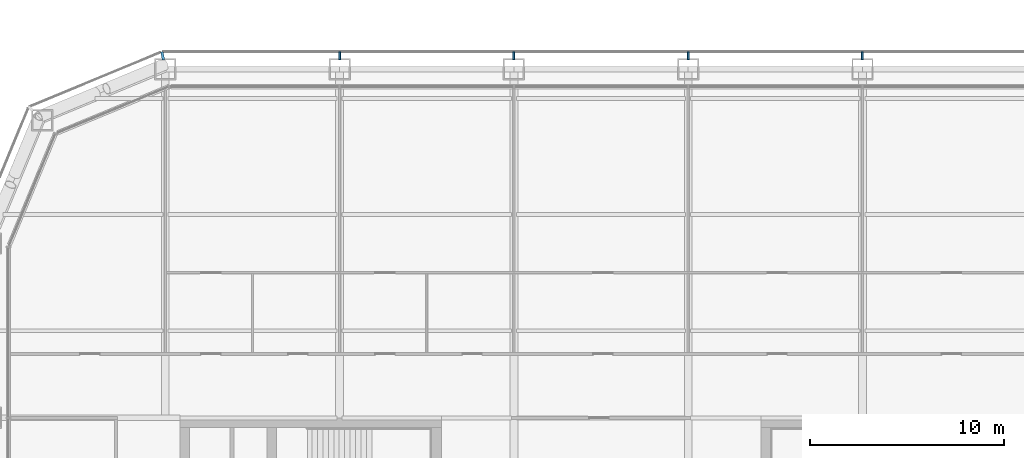
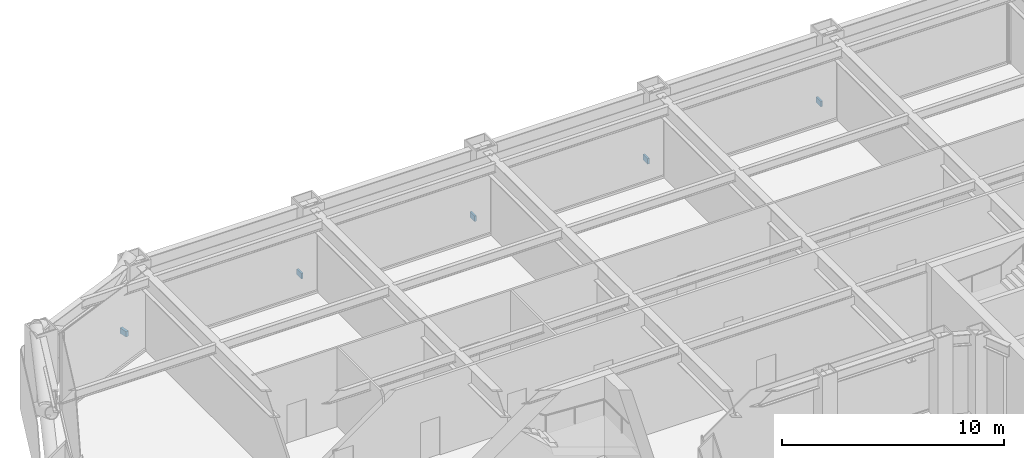
# One storey, part 23 of 30: 5 discrete accessories.
"""IFC4 building model written with IfcOpenShell, lengths in metres."""

from ifc_helpers import new_model, si_unit, direction, frame, origin, origin_2d, place, context, subcontext, project, spatial, rectangle, extrude, material, type_object, element, save


model = new_model("IFC4")

# Units and contexts
model_context = context("Model", 3, precision=1e-05, world=origin(), true_north=direction((0.0, 1.0)))
body_context = subcontext(model_context, "Body", "Model", "MODEL_VIEW")
ifc_project = project(units=[si_unit("LENGTHUNIT", "METRE"), si_unit("AREAUNIT", "SQUARE_METRE"), si_unit("VOLUMEUNIT", "CUBIC_METRE"), si_unit("PLANEANGLEUNIT", "RADIAN"), si_unit("MASSUNIT", "GRAM", prefix="KILO")], contexts=[model_context])

# Site, building, storey
site_placement = place(None, origin())
site = spatial("IfcSite", under=ifc_project, at=site_placement, CompositionType="ELEMENT")
building_placement = place(site_placement, origin())
building = spatial("IfcBuilding", under=site, at=building_placement, Name="Siwar Civic Tower", CompositionType="ELEMENT")
storey_placement = place(building_placement, frame((0.0, 0.0, 44.699951171875)))
storey = spatial("IfcBuildingStorey", under=building, at=storey_placement, Name="L09", CompositionType="ELEMENT", Elevation=44.699951171875)

# Discrete accessories
ifc_material = material(Name="Stainless steel 316", Category="steel")
discrete_accessory_type = type_object("IfcDiscreteAccessoryType", Name="ENV-BRACKET", PredefinedType="BRACKET", material=ifc_material)
for number, where, z_axis, x_axis, name in (
    (1, (13.5, 32.18994140625, -0.14990234375), (0.0, 0.0, 1.0), (0.0, 1.0, 0.0), "Bracket outer skin joint N-01"),
    (2, (4.5, 32.18994140625, -0.14990234375), (0.0, 0.0, 1.0), (0.0, 1.0, 0.0), "Bracket outer skin joint N-02"),
    (3, (-4.5, 32.18994140625, -0.14990234375), (0.0, 0.0, 1.0), (0.0, 1.0, 0.0), "Bracket outer skin joint N-03"),
    (4, (-13.5, 32.18994140625, -0.14990234375), (0.0, 0.0, 1.0), (0.0, 1.0, 0.0), "Bracket outer skin joint N-04"),
):
    element("IfcDiscreteAccessory", number, at=place(storey_placement, frame(where, z_axis=z_axis, x_axis=x_axis)), inside=storey, type_object=discrete_accessory_type, Name=name, PredefinedType="BRACKET", context=body_context, shape_type="SweptSolid", body=[
        extrude(rectangle(XDim=0.419921875, YDim=0.10009765625, at=origin_2d()), origin(), (0.0, 0.0, 1.0), 0.300048828125),
    ])
discrete_accessory_placement = place(storey_placement, frame((-22.63720703125, 32.190185546875, -0.14990234375), z_axis=(0.0, 0.0, 1.0), x_axis=(-0.195090322016, 0.980785280403, 0.0)))
element("IfcDiscreteAccessory", 5, at=discrete_accessory_placement, inside=storey, type_object=discrete_accessory_type, Name="Bracket outer skin joint V07", PredefinedType="BRACKET", context=body_context, shape_type="SweptSolid", body=[
    extrude(rectangle(XDim=0.427734375, YDim=0.13720703125, at=origin_2d()), origin(), (0.0, 0.0, 1.0), 0.300048828125),
])

save(model, "model.ifc")
